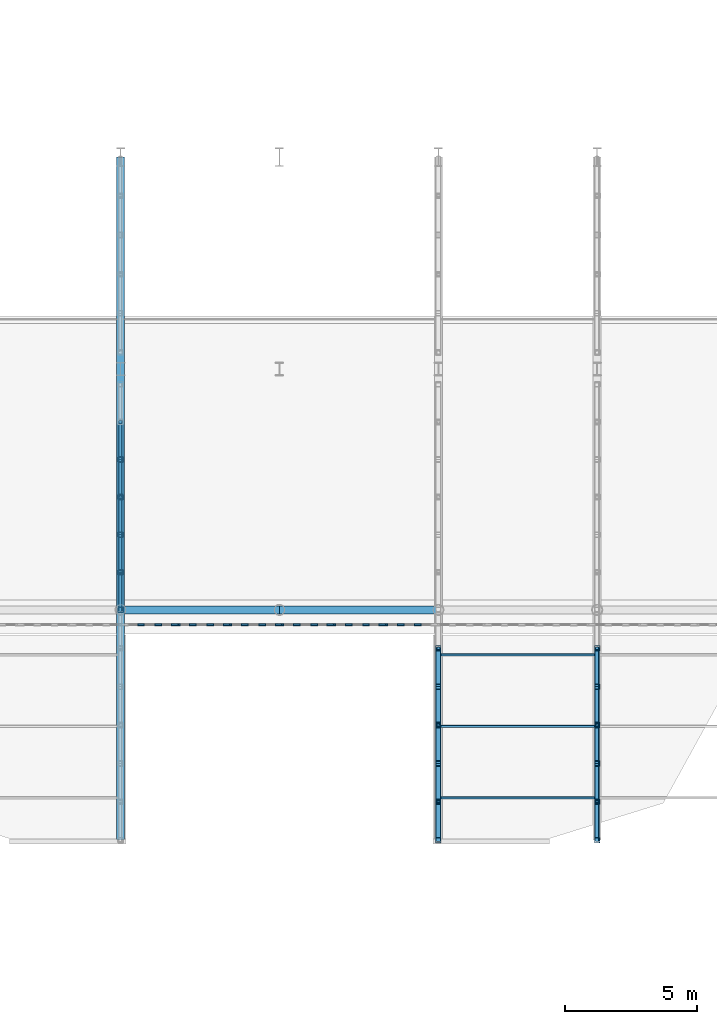
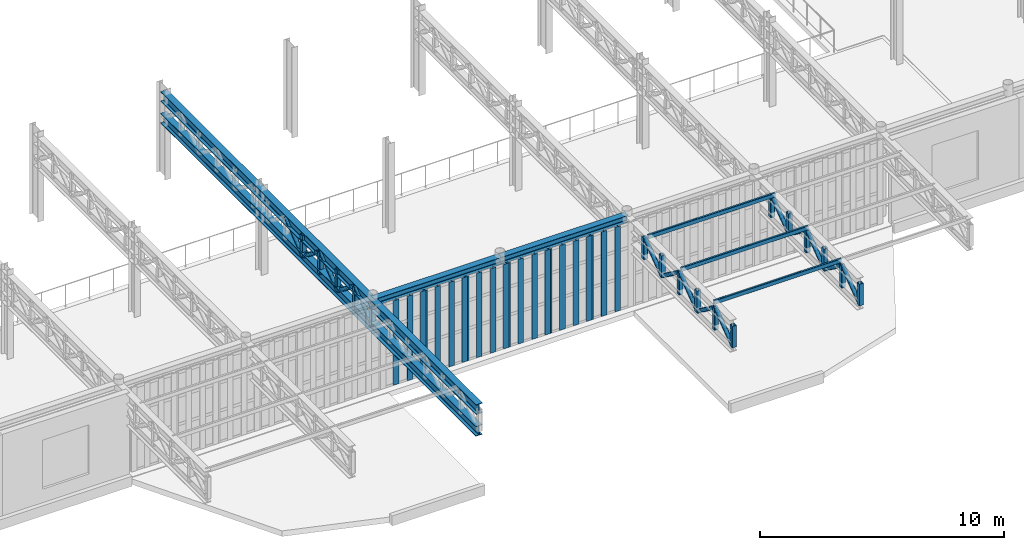
# One storey, part 22 of 91: 59 members, 2 beams, 6 elements without a shape of their own.
"""IFC4 building model written with IfcOpenShell, lengths in metres."""

from ifc_helpers import new_model, si_unit, direction, frame, origin, origin_2d, place, context, subcontext, project, spatial, rectangle, hollow_rectangle, hollow_circle, i_section, extrude, material, material_profile, profile_set, type_object, element, aggregate, save


model = new_model("IFC4")

# Units and contexts
model_context = context("Model", 3, precision=1e-05, world=origin(), true_north=direction((0.0, 1.0)))
body_context = subcontext(model_context, "Body", "Model", "MODEL_VIEW")
ifc_project = project(units=[si_unit("LENGTHUNIT", "METRE"), si_unit("AREAUNIT", "SQUARE_METRE"), si_unit("VOLUMEUNIT", "CUBIC_METRE"), si_unit("PLANEANGLEUNIT", "RADIAN"), si_unit("MASSUNIT", "GRAM", prefix="KILO")], contexts=[model_context])

# Site, building, storey
site_placement = place(None, origin())
site = spatial("IfcSite", under=ifc_project, at=site_placement, CompositionType="ELEMENT")
building_placement = place(site_placement, origin())
building = spatial("IfcBuilding", under=site, at=building_placement, Name="Kolvaren Corner Interchange", CompositionType="ELEMENT")
storey_placement = place(building_placement, frame((0.0, 0.0, 6.0)))
storey = spatial("IfcBuildingStorey", under=building, at=storey_placement, Name="L02", CompositionType="ELEMENT", Elevation=6.0)

# Beams
ifc_material_1 = material(Name="Steel S355", Category="steel")
ifc_material_profile_1 = material_profile(ifc_material_1, i_section(OverallWidth=0.300048828125, OverallDepth=0.35009765625, WebThickness=0.010009765625, FlangeThickness=0.017578125, FilletRadius=0.027099609375, at=origin_2d()), Name="HEA 360")
ifc_profile_set_1 = profile_set([ifc_material_profile_1], Name="Steel S355")
beam_type = type_object("IfcBeamType", Name="BM-HEA360", PredefinedType="BEAM", material=ifc_profile_set_1)
for number, where, z_axis, x_axis, name in (
    (1, (84.0, 24.89990234375, 4.074951171875), (1.0, 0.0, 0.0), (0.0, 1.0, 0.0), "Storey L02 Grid X Primary Girder 0545"),
    (2, (90.0, 24.89990234375, 4.074951171875), (1.0, 0.0, 0.0), (0.0, 1.0, 0.0), "Storey L02 Grid X Primary Girder 0546"),
):
    element("IfcBeam", number, at=place(storey_placement, frame(where, z_axis=z_axis, x_axis=x_axis)), inside=storey, type_object=beam_type, Name=name, PredefinedType="BEAM", context=body_context, shape_type="SweptSolid", body=[
        extrude(i_section(OverallWidth=0.300048828125, OverallDepth=0.35009765625, WebThickness=0.010009765625, FlangeThickness=0.017578125, FilletRadius=0.027099609375, at=origin_2d()), origin(), (0.0, 0.0, 1.0), 6.0),
    ])

# Members
ifc_material_2 = material(Name="Steel S355", Category="steel")
ifc_material_profile_2 = material_profile(ifc_material_2, hollow_circle(Radius=0.096923828125, WallThickness=0.010009765625, at=origin_2d()), Name="CHS 193.7x10.0")
ifc_profile_set_2 = profile_set([ifc_material_profile_2], Name="Steel S355")
member_type_1 = type_object("IfcMemberType", Name="MEM-BR-CHS194", PredefinedType="BRACE", material=ifc_profile_set_2)
member_1_placement = place(storey_placement, frame((84.0, 24.89990234375, 2.889892578125), z_axis=(0.0, 0.795959119821, 0.605350377529), x_axis=(-1.0, 0.0, 0.0)))
element("IfcMember", 3, at=member_1_placement, inside=storey, type_object=member_type_1, Name="South Portal Cantilever Roof Truss L03 Line 3 Diagonal 07", PredefinedType="BRACE", context=body_context, shape_type="SweptSolid", body=[
    extrude(hollow_circle(Radius=0.096923828125, WallThickness=0.010009765625, at=origin_2d()), origin(), (0.0, 0.0, 1.0), 1.7841796875),
])
for number, where, z_axis, x_axis, name in (
    (4, (84.0, 26.320068359375, 3.969970703125), (0.0, 0.795908969203, -0.605416313575), (-1.0, 0.0, 0.0), "South Portal Cantilever Roof Truss L03 Line 3 Diagonal 08"),
    (5, (84.0, 27.739990234375, 2.889892578125), (0.0, 0.795908969203, 0.605416313575), (-1.0, 0.0, 0.0), "South Portal Cantilever Roof Truss L03 Line 3 Diagonal 09"),
):
    element("IfcMember", number, at=place(storey_placement, frame(where, z_axis=z_axis, x_axis=x_axis)), inside=storey, type_object=member_type_1, Name=name, PredefinedType="BRACE", context=body_context, shape_type="SweptSolid", body=[
        extrude(hollow_circle(Radius=0.096923828125, WallThickness=0.010009765625, at=origin_2d()), origin(), (0.0, 0.0, 1.0), 1.783935546875),
    ])
member_2_placement = place(storey_placement, frame((84.0, 29.159912109375, 3.969970703125), z_axis=(0.0, 0.795959119821, -0.605350377529), x_axis=(-1.0, 0.0, 0.0)))
element("IfcMember", 6, at=member_2_placement, inside=storey, type_object=member_type_1, Name="South Portal Cantilever Roof Truss L03 Line 3 Diagonal 10", PredefinedType="BRACE", context=body_context, shape_type="SweptSolid", body=[
    extrude(hollow_circle(Radius=0.096923828125, WallThickness=0.010009765625, at=origin_2d()), origin(), (0.0, 0.0, 1.0), 1.7841796875),
])
member_3_placement = place(storey_placement, frame((84.0, 30.580078125, 2.889892578125), z_axis=(0.0, 0.795908969203, 0.605416313575), x_axis=(-1.0, 0.0, 0.0)))
element("IfcMember", 7, at=member_3_placement, inside=storey, type_object=member_type_1, Name="South Portal Cantilever Roof Truss L03 Line 3 Diagonal 11", PredefinedType="BRACE", context=body_context, shape_type="SweptSolid", body=[
    extrude(hollow_circle(Radius=0.096923828125, WallThickness=0.010009765625, at=origin_2d()), origin(), (0.0, 0.0, 1.0), 1.783935546875),
])
for number, where, z_axis, x_axis, name in (
    (8, (96.0, 16.199951171875, 2.889892578125), (0.0, 0.801956396571, 0.59738257256), (-1.0, 0.0, 0.0), "South Portal Cantilever Roof Truss L03 Line 5 Diagonal 01"),
    (9, (96.0, 17.64990234375, 3.969970703125), (0.0, 0.802004577147, -0.597317887088), (-1.0, 0.0, 0.0), "South Portal Cantilever Roof Truss L03 Line 5 Diagonal 02"),
    (10, (96.0, 19.10009765625, 2.889892578125), (0.0, 0.801956396571, 0.59738257256), (-1.0, 0.0, 0.0), "South Portal Cantilever Roof Truss L03 Line 5 Diagonal 03"),
    (11, (96.0, 20.550048828125, 3.969970703125), (0.0, 0.801956396571, -0.59738257256), (-1.0, 0.0, 0.0), "South Portal Cantilever Roof Truss L03 Line 5 Diagonal 04"),
    (12, (96.0, 22.0, 2.889892578125), (0.0, 0.801956396571, 0.59738257256), (-1.0, 0.0, 0.0), "South Portal Cantilever Roof Truss L03 Line 5 Diagonal 05"),
    (13, (102.0, 16.199951171875, 2.889892578125), (0.0, 0.801956396571, 0.59738257256), (-1.0, 0.0, 0.0), "South Portal Cantilever Roof Truss L03 Line 6 Diagonal 01"),
    (14, (102.0, 17.64990234375, 3.969970703125), (0.0, 0.802004577147, -0.597317887088), (-1.0, 0.0, 0.0), "South Portal Cantilever Roof Truss L03 Line 6 Diagonal 02"),
    (15, (102.0, 19.10009765625, 2.889892578125), (0.0, 0.801956396571, 0.59738257256), (-1.0, 0.0, 0.0), "South Portal Cantilever Roof Truss L03 Line 6 Diagonal 03"),
    (16, (102.0, 20.550048828125, 3.969970703125), (0.0, 0.801956396571, -0.59738257256), (-1.0, 0.0, 0.0), "South Portal Cantilever Roof Truss L03 Line 6 Diagonal 04"),
    (17, (102.0, 22.0, 2.889892578125), (0.0, 0.801956396571, 0.59738257256), (-1.0, 0.0, 0.0), "South Portal Cantilever Roof Truss L03 Line 6 Diagonal 05"),
):
    element("IfcMember", number, at=place(storey_placement, frame(where, z_axis=z_axis, x_axis=x_axis)), inside=storey, type_object=member_type_1, Name=name, PredefinedType="BRACE", context=body_context, shape_type="SweptSolid", body=[
        extrude(hollow_circle(Radius=0.096923828125, WallThickness=0.010009765625, at=origin_2d()), origin(), (0.0, 0.0, 1.0), 1.80810546875),
    ])
ifc_material_3 = material(Name="Steel S355", Category="steel")
ifc_material_profile_3 = material_profile(ifc_material_3, i_section(OverallWidth=0.300048828125, OverallDepth=0.5, WebThickness=0.014404296875, FlangeThickness=0.028076171875, FilletRadius=0.027099609375, at=origin_2d()), Name="HEB 500")
ifc_profile_set_3 = profile_set([ifc_material_profile_3], Name="Steel S355")
member_type_2 = type_object("IfcMemberType", Name="MEM-CH-HEB500", PredefinedType="CHORD", material=ifc_profile_set_3)
for number, where, z_axis, x_axis, name in (
    (18, (84.0, 16.199951171875, 3.969970703125), (0.0, 1.0, 0.0), (-1.0, 0.0, 0.0), "South Portal Cantilever Roof Truss L03 Line 3 Top Chord"),
    (19, (84.0, 16.199951171875, 2.889892578125), (0.0, 1.0, 0.0), (-1.0, 0.0, 0.0), "South Portal Cantilever Roof Truss L03 Line 3 Bottom Chord"),
):
    element("IfcMember", number, at=place(storey_placement, frame(where, z_axis=z_axis, x_axis=x_axis)), inside=storey, type_object=member_type_2, Name=name, PredefinedType="CHORD", context=body_context, shape_type="SweptSolid", body=[
        extrude(i_section(OverallWidth=0.300048828125, OverallDepth=0.5, WebThickness=0.014404296875, FlangeThickness=0.028076171875, FilletRadius=0.027099609375, at=origin_2d()), origin(), (0.0, 0.0, 1.0), 25.800048828125),
    ])
ifc_material_4 = material(Name="Steel S355", Category="steel")
ifc_material_profile_4 = material_profile(ifc_material_4, hollow_rectangle(XDim=0.10009765625, YDim=0.199951171875, WallThickness=0.008056640625, InnerFilletRadius=0.008056640625, OuterFilletRadius=0.01611328125, at=origin_2d()), Name="RHS 200x100x8.0")
ifc_profile_set_4 = profile_set([ifc_material_profile_4], Name="Steel S355")
member_type_3 = type_object("IfcMemberType", Name="MEM-PR-RHS200", PredefinedType="PURLIN", material=ifc_profile_set_4)
for number, where, z_axis, x_axis, name in (
    (20, (96.0, 17.800048828125, 4.1201171875), (1.0, 0.0, 0.0), (0.0, 1.0, 0.0), "South Portal Cantilever Roof Truss L03 Purlin 1 Bay 96"),
    (21, (96.0, 20.5, 4.1201171875), (1.0, 0.0, 0.0), (0.0, 1.0, 0.0), "South Portal Cantilever Roof Truss L03 Purlin 2 Bay 96"),
    (22, (96.0, 23.199951171875, 4.1201171875), (1.0, 0.0, 0.0), (0.0, 1.0, 0.0), "South Portal Cantilever Roof Truss L03 Purlin 3 Bay 96"),
):
    element("IfcMember", number, at=place(storey_placement, frame(where, z_axis=z_axis, x_axis=x_axis)), inside=storey, type_object=member_type_3, Name=name, PredefinedType="PURLIN", context=body_context, shape_type="SweptSolid", body=[
        extrude(hollow_rectangle(XDim=0.10009765625, YDim=0.199951171875, WallThickness=0.008056640625, InnerFilletRadius=0.008056640625, OuterFilletRadius=0.01611328125, at=origin_2d()), origin(), (0.0, 0.0, 1.0), 6.0),
    ])
ifc_material_5 = material(Name="Steel S355", Category="steel")
ifc_material_profile_5 = material_profile(ifc_material_5, hollow_rectangle(XDim=0.199951171875, YDim=0.199951171875, WallThickness=0.010009765625, InnerFilletRadius=0.010009765625, OuterFilletRadius=0.02001953125, at=origin_2d()), Name="SHS 200x200x10.0")
ifc_profile_set_5 = profile_set([ifc_material_profile_5], Name="Steel S355")
member_type_4 = type_object("IfcMemberType", Name="MEM-PT-SHS200", PredefinedType="POST", material=ifc_profile_set_5)
for number, where, z_axis, x_axis, name in (
    (23, (84.0, 24.89990234375, 2.889892578125), (0.0, 0.0, 1.0), (1.0, 0.0, 0.0), "South Portal Cantilever Roof Truss L03 Line 3 Web Post 07"),
    (24, (84.0, 26.320068359375, 2.889892578125), (0.0, 0.0, 1.0), (1.0, 0.0, 0.0), "South Portal Cantilever Roof Truss L03 Line 3 Web Post 08"),
    (25, (84.0, 27.739990234375, 2.889892578125), (0.0, 0.0, 1.0), (1.0, 0.0, 0.0), "South Portal Cantilever Roof Truss L03 Line 3 Web Post 09"),
    (26, (84.0, 29.159912109375, 2.889892578125), (0.0, 0.0, 1.0), (1.0, 0.0, 0.0), "South Portal Cantilever Roof Truss L03 Line 3 Web Post 10"),
    (27, (84.0, 30.580078125, 2.889892578125), (0.0, 0.0, 1.0), (1.0, 0.0, 0.0), "South Portal Cantilever Roof Truss L03 Line 3 Web Post 11"),
    (28, (96.0, 16.199951171875, 2.889892578125), (0.0, 0.0, 1.0), (1.0, 0.0, 0.0), "South Portal Cantilever Roof Truss L03 Line 5 Web Post 01"),
    (29, (96.0, 17.64990234375, 2.889892578125), (0.0, 0.0, 1.0), (1.0, 0.0, 0.0), "South Portal Cantilever Roof Truss L03 Line 5 Web Post 02"),
    (30, (96.0, 19.10009765625, 2.889892578125), (0.0, 0.0, 1.0), (1.0, 0.0, 0.0), "South Portal Cantilever Roof Truss L03 Line 5 Web Post 03"),
    (31, (96.0, 20.550048828125, 2.889892578125), (0.0, 0.0, 1.0), (1.0, 0.0, 0.0), "South Portal Cantilever Roof Truss L03 Line 5 Web Post 04"),
    (32, (96.0, 22.0, 2.889892578125), (0.0, 0.0, 1.0), (1.0, 0.0, 0.0), "South Portal Cantilever Roof Truss L03 Line 5 Web Post 05"),
    (33, (96.0, 23.449951171875, 2.889892578125), (0.0, 0.0, 1.0), (1.0, 0.0, 0.0), "South Portal Cantilever Roof Truss L03 Line 5 Web Post 06"),
    (34, (102.0, 16.199951171875, 2.889892578125), (0.0, 0.0, 1.0), (1.0, 0.0, 0.0), "South Portal Cantilever Roof Truss L03 Line 6 Web Post 01"),
    (35, (102.0, 17.64990234375, 2.889892578125), (0.0, 0.0, 1.0), (1.0, 0.0, 0.0), "South Portal Cantilever Roof Truss L03 Line 6 Web Post 02"),
    (36, (102.0, 19.10009765625, 2.889892578125), (0.0, 0.0, 1.0), (1.0, 0.0, 0.0), "South Portal Cantilever Roof Truss L03 Line 6 Web Post 03"),
    (37, (102.0, 20.550048828125, 2.889892578125), (0.0, 0.0, 1.0), (1.0, 0.0, 0.0), "South Portal Cantilever Roof Truss L03 Line 6 Web Post 04"),
    (38, (102.0, 22.0, 2.889892578125), (0.0, 0.0, 1.0), (1.0, 0.0, 0.0), "South Portal Cantilever Roof Truss L03 Line 6 Web Post 05"),
    (39, (102.0, 23.449951171875, 2.889892578125), (0.0, 0.0, 1.0), (1.0, 0.0, 0.0), "South Portal Cantilever Roof Truss L03 Line 6 Web Post 06"),
):
    element("IfcMember", number, at=place(storey_placement, frame(where, z_axis=z_axis, x_axis=x_axis)), inside=storey, type_object=member_type_4, Name=name, PredefinedType="POST", context=body_context, shape_type="SweptSolid", body=[
        extrude(hollow_rectangle(XDim=0.199951171875, YDim=0.199951171875, WallThickness=0.010009765625, InnerFilletRadius=0.010009765625, OuterFilletRadius=0.02001953125, at=origin_2d()), origin(), (0.0, 0.0, 1.0), 1.080078125),
    ])

# Curtain wall, members
ifc_material_6 = material(Name="Unitised Aluminium and Solar-Control Glass Curtain Wall", Category="aluminium")
curtain_wall_type = type_object("IfcCurtainWallType", Name="CW-V1-MEZZ", PredefinedType="NOTDEFINED", material=ifc_material_6)
curtain_wall_1_placement = place(storey_placement, origin())
curtain_wall_1 = element("IfcCurtainWall", 40, at=curtain_wall_1_placement, inside=storey, type_object=curtain_wall_type, Name="South Portal Mezzanine Curtain Wall Bay 07", PredefinedType="NOTDEFINED")
ifc_material_7 = material(Name="Anodised Aluminium Framing", Category="aluminium")
ifc_material_profile_6 = material_profile(ifc_material_7, rectangle(XDim=0.074951171875, YDim=0.260009765625, at=origin_2d()), Name="ALU 75x260")
ifc_profile_set_6 = profile_set([ifc_material_profile_6], Name="Anodised Aluminium Framing")
member_type_5 = type_object("IfcMemberType", Name="MUL-ALU75x260", PredefinedType="MULLION", material=ifc_profile_set_6)
member_4_placement = place(storey_placement, frame((84.7705078125, 24.340087890625, 0.0), z_axis=(0.0, 0.0, 1.0), x_axis=(0.0, 1.0, 0.0)))
member_4 = element("IfcMember", 41, at=member_4_placement, type_object=member_type_5, Name="CW-025 mullion 2", PredefinedType="MULLION", context=body_context, shape_type="SweptSolid", body=[
    extrude(rectangle(XDim=0.074951171875, YDim=0.260009765625, at=origin_2d()), origin(), (0.0, 0.0, 1.0), 4.219970703125),
])
member_5_placement = place(storey_placement, frame((85.424072265625, 24.340087890625, 0.0), z_axis=(0.0, 0.0, 1.0), x_axis=(0.0, 1.0, 0.0)))
member_5 = element("IfcMember", 42, at=member_5_placement, type_object=member_type_5, Name="CW-025 mullion 3", PredefinedType="MULLION", context=body_context, shape_type="SweptSolid", body=[
    extrude(rectangle(XDim=0.074951171875, YDim=0.260009765625, at=origin_2d()), origin(), (0.0, 0.0, 1.0), 4.219970703125),
])
member_6_placement = place(storey_placement, frame((86.040283203125, 24.340087890625, 0.0), z_axis=(0.0, 0.0, 1.0), x_axis=(0.0, 1.0, 0.0)))
member_6 = element("IfcMember", 43, at=member_6_placement, type_object=member_type_5, Name="CW-025 mullion 4", PredefinedType="MULLION", context=body_context, shape_type="SweptSolid", body=[
    extrude(rectangle(XDim=0.074951171875, YDim=0.260009765625, at=origin_2d()), origin(), (0.0, 0.0, 1.0), 4.219970703125),
])
aggregate(curtain_wall_1, [member_4, member_5, member_6])

curtain_wall_2_placement = place(storey_placement, origin())
curtain_wall_2 = element("IfcCurtainWall", 44, at=curtain_wall_2_placement, inside=storey, type_object=curtain_wall_type, Name="South Portal Mezzanine Curtain Wall Bay 08", PredefinedType="NOTDEFINED")
member_7_placement = place(storey_placement, frame((86.115234375, 24.340087890625, 0.0), z_axis=(0.0, 0.0, 1.0), x_axis=(0.0, 1.0, 0.0)))
member_7 = element("IfcMember", 45, at=member_7_placement, type_object=member_type_5, Name="CW-026 mullion 1", PredefinedType="MULLION", context=body_context, shape_type="SweptSolid", body=[
    extrude(rectangle(XDim=0.074951171875, YDim=0.260009765625, at=origin_2d()), origin(), (0.0, 0.0, 1.0), 4.219970703125),
])
member_8_placement = place(storey_placement, frame((86.7314453125, 24.340087890625, 0.0), z_axis=(0.0, 0.0, 1.0), x_axis=(0.0, 1.0, 0.0)))
member_8 = element("IfcMember", 46, at=member_8_placement, type_object=member_type_5, Name="CW-026 mullion 2", PredefinedType="MULLION", context=body_context, shape_type="SweptSolid", body=[
    extrude(rectangle(XDim=0.074951171875, YDim=0.260009765625, at=origin_2d()), origin(), (0.0, 0.0, 1.0), 4.219970703125),
])
member_9_placement = place(storey_placement, frame((87.38525390625, 24.340087890625, 0.0), z_axis=(0.0, 0.0, 1.0), x_axis=(0.0, 1.0, 0.0)))
member_9 = element("IfcMember", 47, at=member_9_placement, type_object=member_type_5, Name="CW-026 mullion 3", PredefinedType="MULLION", context=body_context, shape_type="SweptSolid", body=[
    extrude(rectangle(XDim=0.074951171875, YDim=0.260009765625, at=origin_2d()), origin(), (0.0, 0.0, 1.0), 4.219970703125),
])
member_10_placement = place(storey_placement, frame((88.00146484375, 24.340087890625, 0.0), z_axis=(0.0, 0.0, 1.0), x_axis=(0.0, 1.0, 0.0)))
member_10 = element("IfcMember", 48, at=member_10_placement, type_object=member_type_5, Name="CW-026 mullion 4", PredefinedType="MULLION", context=body_context, shape_type="SweptSolid", body=[
    extrude(rectangle(XDim=0.074951171875, YDim=0.260009765625, at=origin_2d()), origin(), (0.0, 0.0, 1.0), 4.219970703125),
])
aggregate(curtain_wall_2, [member_7, member_8, member_9, member_10])

curtain_wall_3_placement = place(storey_placement, origin())
curtain_wall_3 = element("IfcCurtainWall", 49, at=curtain_wall_3_placement, inside=storey, type_object=curtain_wall_type, Name="South Portal Mezzanine Curtain Wall Bay 09", PredefinedType="NOTDEFINED")
member_11_placement = place(storey_placement, frame((88.076416015625, 24.340087890625, 0.0), z_axis=(0.0, 0.0, 1.0), x_axis=(0.0, 1.0, 0.0)))
member_11 = element("IfcMember", 50, at=member_11_placement, type_object=member_type_5, Name="CW-027 mullion 1", PredefinedType="MULLION", context=body_context, shape_type="SweptSolid", body=[
    extrude(rectangle(XDim=0.074951171875, YDim=0.260009765625, at=origin_2d()), origin(), (0.0, 0.0, 1.0), 4.219970703125),
])
member_12_placement = place(storey_placement, frame((88.692626953125, 24.340087890625, 0.0), z_axis=(0.0, 0.0, 1.0), x_axis=(0.0, 1.0, 0.0)))
member_12 = element("IfcMember", 51, at=member_12_placement, type_object=member_type_5, Name="CW-027 mullion 2", PredefinedType="MULLION", context=body_context, shape_type="SweptSolid", body=[
    extrude(rectangle(XDim=0.074951171875, YDim=0.260009765625, at=origin_2d()), origin(), (0.0, 0.0, 1.0), 4.219970703125),
])
member_13_placement = place(storey_placement, frame((89.34619140625, 24.340087890625, 0.0), z_axis=(0.0, 0.0, 1.0), x_axis=(0.0, 1.0, 0.0)))
member_13 = element("IfcMember", 52, at=member_13_placement, type_object=member_type_5, Name="CW-027 mullion 3", PredefinedType="MULLION", context=body_context, shape_type="SweptSolid", body=[
    extrude(rectangle(XDim=0.074951171875, YDim=0.260009765625, at=origin_2d()), origin(), (0.0, 0.0, 1.0), 4.219970703125),
])
member_14_placement = place(storey_placement, frame((89.96240234375, 24.340087890625, 0.0), z_axis=(0.0, 0.0, 1.0), x_axis=(0.0, 1.0, 0.0)))
member_14 = element("IfcMember", 53, at=member_14_placement, type_object=member_type_5, Name="CW-027 mullion 4", PredefinedType="MULLION", context=body_context, shape_type="SweptSolid", body=[
    extrude(rectangle(XDim=0.074951171875, YDim=0.260009765625, at=origin_2d()), origin(), (0.0, 0.0, 1.0), 4.219970703125),
])
aggregate(curtain_wall_3, [member_11, member_12, member_13, member_14])

curtain_wall_4_placement = place(storey_placement, origin())
curtain_wall_4 = element("IfcCurtainWall", 54, at=curtain_wall_4_placement, inside=storey, type_object=curtain_wall_type, Name="South Portal Mezzanine Curtain Wall Bay 10", PredefinedType="NOTDEFINED")
member_15_placement = place(storey_placement, frame((90.03759765625, 24.340087890625, 0.0), z_axis=(0.0, 0.0, 1.0), x_axis=(0.0, 1.0, 0.0)))
member_15 = element("IfcMember", 55, at=member_15_placement, type_object=member_type_5, Name="CW-028 mullion 1", PredefinedType="MULLION", context=body_context, shape_type="SweptSolid", body=[
    extrude(rectangle(XDim=0.074951171875, YDim=0.260009765625, at=origin_2d()), origin(), (0.0, 0.0, 1.0), 4.219970703125),
])
member_16_placement = place(storey_placement, frame((90.65380859375, 24.340087890625, 0.0), z_axis=(0.0, 0.0, 1.0), x_axis=(0.0, 1.0, 0.0)))
member_16 = element("IfcMember", 56, at=member_16_placement, type_object=member_type_5, Name="CW-028 mullion 2", PredefinedType="MULLION", context=body_context, shape_type="SweptSolid", body=[
    extrude(rectangle(XDim=0.074951171875, YDim=0.260009765625, at=origin_2d()), origin(), (0.0, 0.0, 1.0), 4.219970703125),
])
member_17_placement = place(storey_placement, frame((91.307373046875, 24.340087890625, 0.0), z_axis=(0.0, 0.0, 1.0), x_axis=(0.0, 1.0, 0.0)))
member_17 = element("IfcMember", 57, at=member_17_placement, type_object=member_type_5, Name="CW-028 mullion 3", PredefinedType="MULLION", context=body_context, shape_type="SweptSolid", body=[
    extrude(rectangle(XDim=0.074951171875, YDim=0.260009765625, at=origin_2d()), origin(), (0.0, 0.0, 1.0), 4.219970703125),
])
member_18_placement = place(storey_placement, frame((91.923583984375, 24.340087890625, 0.0), z_axis=(0.0, 0.0, 1.0), x_axis=(0.0, 1.0, 0.0)))
member_18 = element("IfcMember", 58, at=member_18_placement, type_object=member_type_5, Name="CW-028 mullion 4", PredefinedType="MULLION", context=body_context, shape_type="SweptSolid", body=[
    extrude(rectangle(XDim=0.074951171875, YDim=0.260009765625, at=origin_2d()), origin(), (0.0, 0.0, 1.0), 4.219970703125),
])
aggregate(curtain_wall_4, [member_15, member_16, member_17, member_18])

curtain_wall_5_placement = place(storey_placement, origin())
curtain_wall_5 = element("IfcCurtainWall", 59, at=curtain_wall_5_placement, inside=storey, type_object=curtain_wall_type, Name="South Portal Mezzanine Curtain Wall Bay 11", PredefinedType="NOTDEFINED")
member_19_placement = place(storey_placement, frame((91.99853515625, 24.340087890625, 0.0), z_axis=(0.0, 0.0, 1.0), x_axis=(0.0, 1.0, 0.0)))
member_19 = element("IfcMember", 60, at=member_19_placement, type_object=member_type_5, Name="CW-029 mullion 1", PredefinedType="MULLION", context=body_context, shape_type="SweptSolid", body=[
    extrude(rectangle(XDim=0.074951171875, YDim=0.260009765625, at=origin_2d()), origin(), (0.0, 0.0, 1.0), 4.219970703125),
])
member_20_placement = place(storey_placement, frame((92.61474609375, 24.340087890625, 0.0), z_axis=(0.0, 0.0, 1.0), x_axis=(0.0, 1.0, 0.0)))
member_20 = element("IfcMember", 61, at=member_20_placement, type_object=member_type_5, Name="CW-029 mullion 2", PredefinedType="MULLION", context=body_context, shape_type="SweptSolid", body=[
    extrude(rectangle(XDim=0.074951171875, YDim=0.260009765625, at=origin_2d()), origin(), (0.0, 0.0, 1.0), 4.219970703125),
])
member_21_placement = place(storey_placement, frame((93.2685546875, 24.340087890625, 0.0), z_axis=(0.0, 0.0, 1.0), x_axis=(0.0, 1.0, 0.0)))
member_21 = element("IfcMember", 62, at=member_21_placement, type_object=member_type_5, Name="CW-029 mullion 3", PredefinedType="MULLION", context=body_context, shape_type="SweptSolid", body=[
    extrude(rectangle(XDim=0.074951171875, YDim=0.260009765625, at=origin_2d()), origin(), (0.0, 0.0, 1.0), 4.219970703125),
])
member_22_placement = place(storey_placement, frame((93.884765625, 24.340087890625, 0.0), z_axis=(0.0, 0.0, 1.0), x_axis=(0.0, 1.0, 0.0)))
member_22 = element("IfcMember", 63, at=member_22_placement, type_object=member_type_5, Name="CW-029 mullion 4", PredefinedType="MULLION", context=body_context, shape_type="SweptSolid", body=[
    extrude(rectangle(XDim=0.074951171875, YDim=0.260009765625, at=origin_2d()), origin(), (0.0, 0.0, 1.0), 4.219970703125),
])
aggregate(curtain_wall_5, [member_19, member_20, member_21, member_22])

curtain_wall_6_placement = place(storey_placement, origin())
curtain_wall_6 = element("IfcCurtainWall", 64, at=curtain_wall_6_placement, inside=storey, type_object=curtain_wall_type, Name="South Portal Mezzanine Curtain Wall Bay 12", PredefinedType="NOTDEFINED")
member_23_placement = place(storey_placement, frame((93.959716796875, 24.340087890625, 0.0), z_axis=(0.0, 0.0, 1.0), x_axis=(0.0, 1.0, 0.0)))
member_23 = element("IfcMember", 65, at=member_23_placement, type_object=member_type_5, Name="CW-030 mullion 1", PredefinedType="MULLION", context=body_context, shape_type="SweptSolid", body=[
    extrude(rectangle(XDim=0.074951171875, YDim=0.260009765625, at=origin_2d()), origin(), (0.0, 0.0, 1.0), 4.219970703125),
])
member_24_placement = place(storey_placement, frame((94.575927734375, 24.340087890625, 0.0), z_axis=(0.0, 0.0, 1.0), x_axis=(0.0, 1.0, 0.0)))
member_24 = element("IfcMember", 66, at=member_24_placement, type_object=member_type_5, Name="CW-030 mullion 2", PredefinedType="MULLION", context=body_context, shape_type="SweptSolid", body=[
    extrude(rectangle(XDim=0.074951171875, YDim=0.260009765625, at=origin_2d()), origin(), (0.0, 0.0, 1.0), 4.219970703125),
])
member_25_placement = place(storey_placement, frame((95.2294921875, 24.340087890625, 0.0), z_axis=(0.0, 0.0, 1.0), x_axis=(0.0, 1.0, 0.0)))
member_25 = element("IfcMember", 67, at=member_25_placement, type_object=member_type_5, Name="CW-030 mullion 3", PredefinedType="MULLION", context=body_context, shape_type="SweptSolid", body=[
    extrude(rectangle(XDim=0.074951171875, YDim=0.260009765625, at=origin_2d()), origin(), (0.0, 0.0, 1.0), 4.219970703125),
])
aggregate(curtain_wall_6, [member_23, member_24, member_25])

save(model, "model.ifc")
